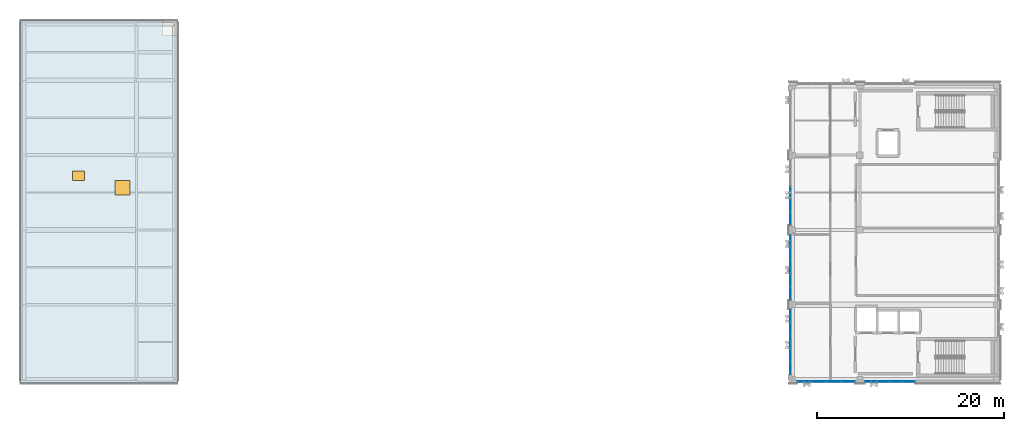
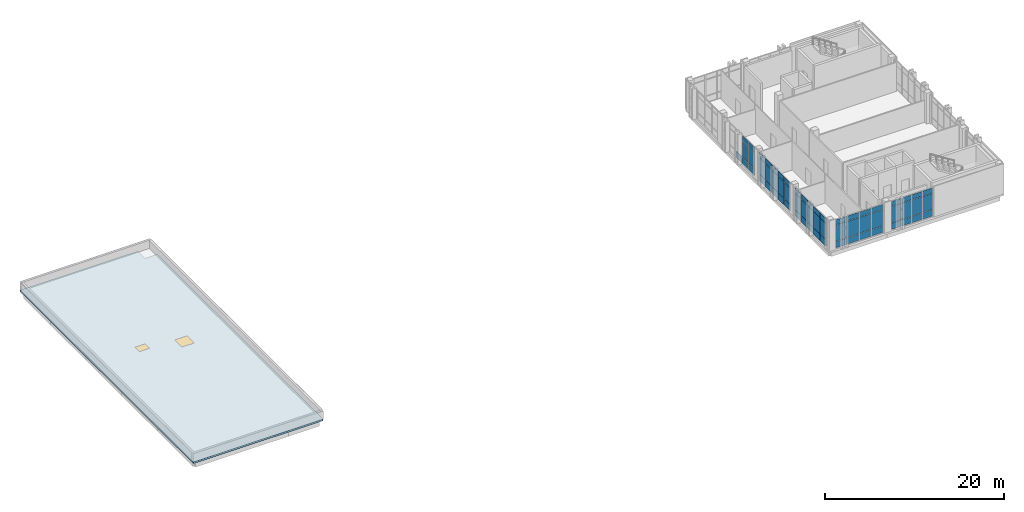
# One storey, part 14 of 22: 61 plates, 1 door, 1 slab, 1 window, 2 openings, 5 elements without a shape of their own.
"""IFC4 building model written with IfcOpenShell, lengths in metres."""

from ifc_helpers import new_model, si_unit, direction, frame, origin, origin_2d, place, context, subcontext, project, spatial, polyline, rectangle, outline, extrude, material, layer, layer_set, type_object, element, fill, aggregate, save


model = new_model("IFC4")

# Units and contexts
model_context = context("Model", 3, precision=1e-05, world=origin(), true_north=direction((0.0, 1.0)))
body_context = subcontext(model_context, "Body", "Model", "MODEL_VIEW")
ifc_project = project(units=[si_unit("LENGTHUNIT", "METRE"), si_unit("AREAUNIT", "SQUARE_METRE"), si_unit("VOLUMEUNIT", "CUBIC_METRE"), si_unit("PLANEANGLEUNIT", "RADIAN"), si_unit("MASSUNIT", "GRAM", prefix="KILO")], contexts=[model_context])

# Site, building, storey
site_placement = place(None, origin())
site = spatial("IfcSite", under=ifc_project, at=site_placement, CompositionType="ELEMENT")
building_placement = place(site_placement, origin())
building = spatial("IfcBuilding", under=site, at=building_placement, Name="Qalavern Law Courts", CompositionType="ELEMENT")
storey_placement = place(building_placement, frame((0.0, 0.0, 35.39990234375)))
storey = spatial("IfcBuildingStorey", under=building, at=storey_placement, Name="L08", CompositionType="ELEMENT", Elevation=35.39990234375)

# Curtain wall, plates
ifc_material_1 = material(Name="Anodised aluminium and insulated glazing", Category="aluminium")
ifc_layer_1 = layer(ifc_material_1, 0.159912109375)
ifc_layer_set_1 = layer_set([ifc_layer_1], Name="Anodised aluminium and insulated glazing")
curtain_wall_type = type_object("IfcCurtainWallType", Name="ENV-CW-CHAMB", PredefinedType="USERDEFINED", material=ifc_layer_set_1)
curtain_wall_1_placement = place(storey_placement, origin())
curtain_wall_1 = element("IfcCurtainWall", 1, at=curtain_wall_1_placement, inside=storey, type_object=curtain_wall_type, Name="V4 unitised curtain wall L08 south 1", ObjectType="UNITISED CURTAIN WALL", PredefinedType="USERDEFINED")
ifc_material_2 = material(Name="Insulated low-E acoustic glazing", Category="glass")
ifc_layer_2 = layer(ifc_material_2, 0.0400390625)
ifc_layer_set_2 = layer_set([ifc_layer_2], Name="Insulated low-E acoustic glazing")
plate_type_1 = type_object("IfcPlateType", Name="ENV-CWP-40", PredefinedType="CURTAIN_PANEL", material=ifc_layer_set_2)
plate_1_placement = place(storey_placement, frame((85.886962890625, 41.18994140625, 0.048095703125), z_axis=(0.0, 0.0, 1.0), x_axis=(1.0, 0.0, 0.0)))
plate_1 = element("IfcPlate", 2, at=plate_1_placement, type_object=plate_type_1, Name="CW-04 panel 1.1", PredefinedType="CURTAIN_PANEL", context=body_context, shape_type="SweptSolid", body=[
    extrude(rectangle(XDim=1.47802734375, YDim=0.0400390625, at=origin_2d()), origin(), (0.0, 0.0, 1.0), 0.8779296875),
])
plate_2_placement = place(storey_placement, frame((85.886962890625, 41.18994140625, 0.97412109375), z_axis=(0.0, 0.0, 1.0), x_axis=(1.0, 0.0, 0.0)))
plate_2 = element("IfcPlate", 3, at=plate_2_placement, type_object=plate_type_1, Name="CW-04 panel 1.2", PredefinedType="CURTAIN_PANEL", context=body_context, shape_type="SweptSolid", body=[
    extrude(rectangle(XDim=1.47802734375, YDim=0.0400390625, at=origin_2d()), origin(), (0.0, 0.0, 1.0), 2.197021484375),
])
plate_3_placement = place(storey_placement, frame((85.886962890625, 41.18994140625, 3.21923828125), z_axis=(0.0, 0.0, 1.0), x_axis=(1.0, 0.0, 0.0)))
plate_3 = element("IfcPlate", 4, at=plate_3_placement, type_object=plate_type_1, Name="CW-04 panel 1.3", PredefinedType="CURTAIN_PANEL", context=body_context, shape_type="SweptSolid", body=[
    extrude(rectangle(XDim=1.47802734375, YDim=0.0400390625, at=origin_2d()), origin(), (0.0, 0.0, 1.0), 0.677978515625),
])
plate_4_placement = place(storey_placement, frame((87.425048828125, 41.18994140625, 0.048095703125), z_axis=(0.0, 0.0, 1.0), x_axis=(1.0, 0.0, 0.0)))
plate_4 = element("IfcPlate", 5, at=plate_4_placement, type_object=plate_type_1, Name="CW-04 panel 2.1", PredefinedType="CURTAIN_PANEL", context=body_context, shape_type="SweptSolid", body=[
    extrude(rectangle(XDim=1.501953125, YDim=0.0400390625, at=origin_2d()), origin(), (0.0, 0.0, 1.0), 0.8779296875),
])
plate_5_placement = place(storey_placement, frame((87.425048828125, 41.18994140625, 0.97412109375), z_axis=(0.0, 0.0, 1.0), x_axis=(1.0, 0.0, 0.0)))
plate_5 = element("IfcPlate", 6, at=plate_5_placement, type_object=plate_type_1, Name="CW-04 panel 2.2", PredefinedType="CURTAIN_PANEL", context=body_context, shape_type="SweptSolid", body=[
    extrude(rectangle(XDim=1.501953125, YDim=0.0400390625, at=origin_2d()), origin(), (0.0, 0.0, 1.0), 2.197021484375),
])
plate_6_placement = place(storey_placement, frame((87.425048828125, 41.18994140625, 3.21923828125), z_axis=(0.0, 0.0, 1.0), x_axis=(1.0, 0.0, 0.0)))
plate_6 = element("IfcPlate", 7, at=plate_6_placement, type_object=plate_type_1, Name="CW-04 panel 2.3", PredefinedType="CURTAIN_PANEL", context=body_context, shape_type="SweptSolid", body=[
    extrude(rectangle(XDim=1.501953125, YDim=0.0400390625, at=origin_2d()), origin(), (0.0, 0.0, 1.0), 0.677978515625),
])
plate_7_placement = place(storey_placement, frame((88.97509765625, 41.18994140625, 0.048095703125), z_axis=(0.0, 0.0, 1.0), x_axis=(1.0, 0.0, 0.0)))
plate_7 = element("IfcPlate", 8, at=plate_7_placement, type_object=plate_type_1, Name="CW-04 panel 3.1", PredefinedType="CURTAIN_PANEL", context=body_context, shape_type="SweptSolid", body=[
    extrude(rectangle(XDim=1.501953125, YDim=0.0400390625, at=origin_2d()), origin(), (0.0, 0.0, 1.0), 0.8779296875),
])
plate_8_placement = place(storey_placement, frame((88.97509765625, 41.18994140625, 0.97412109375), z_axis=(0.0, 0.0, 1.0), x_axis=(1.0, 0.0, 0.0)))
plate_8 = element("IfcPlate", 9, at=plate_8_placement, type_object=plate_type_1, Name="CW-04 panel 3.2", PredefinedType="CURTAIN_PANEL", context=body_context, shape_type="SweptSolid", body=[
    extrude(rectangle(XDim=1.501953125, YDim=0.0400390625, at=origin_2d()), origin(), (0.0, 0.0, 1.0), 2.197021484375),
])
plate_9_placement = place(storey_placement, frame((88.97509765625, 41.18994140625, 3.21923828125), z_axis=(0.0, 0.0, 1.0), x_axis=(1.0, 0.0, 0.0)))
plate_9 = element("IfcPlate", 10, at=plate_9_placement, type_object=plate_type_1, Name="CW-04 panel 3.3", PredefinedType="CURTAIN_PANEL", context=body_context, shape_type="SweptSolid", body=[
    extrude(rectangle(XDim=1.501953125, YDim=0.0400390625, at=origin_2d()), origin(), (0.0, 0.0, 1.0), 0.677978515625),
])
plate_10_placement = place(storey_placement, frame((90.512939453125, 41.18994140625, 0.048095703125), z_axis=(0.0, 0.0, 1.0), x_axis=(1.0, 0.0, 0.0)))
plate_10 = element("IfcPlate", 11, at=plate_10_placement, type_object=plate_type_1, Name="CW-04 panel 4.1", PredefinedType="CURTAIN_PANEL", context=body_context, shape_type="SweptSolid", body=[
    extrude(rectangle(XDim=1.47802734375, YDim=0.0400390625, at=origin_2d()), origin(), (0.0, 0.0, 1.0), 0.8779296875),
])
plate_11_placement = place(storey_placement, frame((90.512939453125, 41.18994140625, 0.97412109375), z_axis=(0.0, 0.0, 1.0), x_axis=(1.0, 0.0, 0.0)))
plate_11 = element("IfcPlate", 12, at=plate_11_placement, type_object=plate_type_1, Name="CW-04 panel 4.2", PredefinedType="CURTAIN_PANEL", context=body_context, shape_type="SweptSolid", body=[
    extrude(rectangle(XDim=1.47802734375, YDim=0.0400390625, at=origin_2d()), origin(), (0.0, 0.0, 1.0), 2.197021484375),
])
plate_12_placement = place(storey_placement, frame((90.512939453125, 41.18994140625, 3.21923828125), z_axis=(0.0, 0.0, 1.0), x_axis=(1.0, 0.0, 0.0)))
plate_12 = element("IfcPlate", 13, at=plate_12_placement, type_object=plate_type_1, Name="CW-04 panel 4.3", PredefinedType="CURTAIN_PANEL", context=body_context, shape_type="SweptSolid", body=[
    extrude(rectangle(XDim=1.47802734375, YDim=0.0400390625, at=origin_2d()), origin(), (0.0, 0.0, 1.0), 0.677978515625),
])
aggregate(curtain_wall_1, [plate_1, plate_2, plate_3, plate_4, plate_5, plate_6, plate_7, plate_8, plate_9, plate_10, plate_11, plate_12])

curtain_wall_2_placement = place(storey_placement, origin())
curtain_wall_2 = element("IfcCurtainWall", 14, at=curtain_wall_2_placement, inside=storey, type_object=curtain_wall_type, Name="V4 unitised curtain wall L08 south 2", ObjectType="UNITISED CURTAIN WALL", PredefinedType="USERDEFINED")
ifc_layer_3 = layer(ifc_material_2, 0.0439453125)
ifc_layer_set_3 = layer_set([ifc_layer_3], Name="Insulated low-E acoustic glazing")
plate_type_2 = type_object("IfcPlateType", Name="ENV-CWP-44", PredefinedType="CURTAIN_PANEL", material=ifc_layer_set_3)
plate_13_placement = place(storey_placement, frame((92.987060546875, 41.18994140625, 0.048095703125), z_axis=(0.0, 0.0, 1.0), x_axis=(1.0, 0.0, 0.0)))
plate_13 = element("IfcPlate", 15, at=plate_13_placement, type_object=plate_type_2, Name="CW-04 panel 1.1", PredefinedType="CURTAIN_PANEL", context=body_context, shape_type="SweptSolid", body=[
    extrude(rectangle(XDim=1.278076171875, YDim=0.0439453125, at=origin_2d()), origin(), (0.0, 0.0, 1.0), 0.8779296875),
])
plate_14_placement = place(storey_placement, frame((92.987060546875, 41.18994140625, 0.97412109375), z_axis=(0.0, 0.0, 1.0), x_axis=(1.0, 0.0, 0.0)))
plate_14 = element("IfcPlate", 16, at=plate_14_placement, type_object=plate_type_2, Name="CW-04 panel 1.2", PredefinedType="CURTAIN_PANEL", context=body_context, shape_type="SweptSolid", body=[
    extrude(rectangle(XDim=1.278076171875, YDim=0.0439453125, at=origin_2d()), origin(), (0.0, 0.0, 1.0), 2.197021484375),
])
plate_15_placement = place(storey_placement, frame((92.987060546875, 41.18994140625, 3.21923828125), z_axis=(0.0, 0.0, 1.0), x_axis=(1.0, 0.0, 0.0)))
plate_15 = element("IfcPlate", 17, at=plate_15_placement, type_object=plate_type_2, Name="CW-04 panel 1.3", PredefinedType="CURTAIN_PANEL", context=body_context, shape_type="SweptSolid", body=[
    extrude(rectangle(XDim=1.278076171875, YDim=0.0439453125, at=origin_2d()), origin(), (0.0, 0.0, 1.0), 0.677978515625),
])
plate_16_placement = place(storey_placement, frame((94.324951171875, 41.18994140625, 0.048095703125), z_axis=(0.0, 0.0, 1.0), x_axis=(1.0, 0.0, 0.0)))
plate_16 = element("IfcPlate", 18, at=plate_16_placement, type_object=plate_type_2, Name="CW-04 panel 2.1", PredefinedType="CURTAIN_PANEL", context=body_context, shape_type="SweptSolid", body=[
    extrude(rectangle(XDim=1.302001953125, YDim=0.0439453125, at=origin_2d()), origin(), (0.0, 0.0, 1.0), 0.8779296875),
])
plate_17_placement = place(storey_placement, frame((94.324951171875, 41.18994140625, 0.97412109375), z_axis=(0.0, 0.0, 1.0), x_axis=(1.0, 0.0, 0.0)))
plate_17 = element("IfcPlate", 19, at=plate_17_placement, type_object=plate_type_2, Name="CW-04 panel 2.2", PredefinedType="CURTAIN_PANEL", context=body_context, shape_type="SweptSolid", body=[
    extrude(rectangle(XDim=1.302001953125, YDim=0.0439453125, at=origin_2d()), origin(), (0.0, 0.0, 1.0), 2.197021484375),
])
plate_18_placement = place(storey_placement, frame((94.324951171875, 41.18994140625, 3.21923828125), z_axis=(0.0, 0.0, 1.0), x_axis=(1.0, 0.0, 0.0)))
plate_18 = element("IfcPlate", 20, at=plate_18_placement, type_object=plate_type_2, Name="CW-04 panel 2.3", PredefinedType="CURTAIN_PANEL", context=body_context, shape_type="SweptSolid", body=[
    extrude(rectangle(XDim=1.302001953125, YDim=0.0439453125, at=origin_2d()), origin(), (0.0, 0.0, 1.0), 0.677978515625),
])
plate_19_placement = place(storey_placement, frame((95.675048828125, 41.18994140625, 0.048095703125), z_axis=(0.0, 0.0, 1.0), x_axis=(1.0, 0.0, 0.0)))
plate_19 = element("IfcPlate", 21, at=plate_19_placement, type_object=plate_type_2, Name="CW-04 panel 3.1", PredefinedType="CURTAIN_PANEL", context=body_context, shape_type="SweptSolid", body=[
    extrude(rectangle(XDim=1.302001953125, YDim=0.0439453125, at=origin_2d()), origin(), (0.0, 0.0, 1.0), 0.8779296875),
])
plate_20_placement = place(storey_placement, frame((95.675048828125, 41.18994140625, 0.97412109375), z_axis=(0.0, 0.0, 1.0), x_axis=(1.0, 0.0, 0.0)))
plate_20 = element("IfcPlate", 22, at=plate_20_placement, type_object=plate_type_2, Name="CW-04 panel 3.2", PredefinedType="CURTAIN_PANEL", context=body_context, shape_type="SweptSolid", body=[
    extrude(rectangle(XDim=1.302001953125, YDim=0.0439453125, at=origin_2d()), origin(), (0.0, 0.0, 1.0), 2.197021484375),
])
plate_21_placement = place(storey_placement, frame((95.675048828125, 41.18994140625, 3.21923828125), z_axis=(0.0, 0.0, 1.0), x_axis=(1.0, 0.0, 0.0)))
plate_21 = element("IfcPlate", 23, at=plate_21_placement, type_object=plate_type_2, Name="CW-04 panel 3.3", PredefinedType="CURTAIN_PANEL", context=body_context, shape_type="SweptSolid", body=[
    extrude(rectangle(XDim=1.302001953125, YDim=0.0439453125, at=origin_2d()), origin(), (0.0, 0.0, 1.0), 0.677978515625),
])
plate_22_placement = place(storey_placement, frame((97.012939453125, 41.18994140625, 0.048095703125), z_axis=(0.0, 0.0, 1.0), x_axis=(1.0, 0.0, 0.0)))
plate_22 = element("IfcPlate", 24, at=plate_22_placement, type_object=plate_type_2, Name="CW-04 panel 4.1", PredefinedType="CURTAIN_PANEL", context=body_context, shape_type="SweptSolid", body=[
    extrude(rectangle(XDim=1.278076171875, YDim=0.0439453125, at=origin_2d()), origin(), (0.0, 0.0, 1.0), 0.8779296875),
])
plate_23_placement = place(storey_placement, frame((97.012939453125, 41.18994140625, 0.97412109375), z_axis=(0.0, 0.0, 1.0), x_axis=(1.0, 0.0, 0.0)))
plate_23 = element("IfcPlate", 25, at=plate_23_placement, type_object=plate_type_2, Name="CW-04 panel 4.2", PredefinedType="CURTAIN_PANEL", context=body_context, shape_type="SweptSolid", body=[
    extrude(rectangle(XDim=1.278076171875, YDim=0.0439453125, at=origin_2d()), origin(), (0.0, 0.0, 1.0), 2.197021484375),
])
plate_24_placement = place(storey_placement, frame((97.012939453125, 41.18994140625, 3.21923828125), z_axis=(0.0, 0.0, 1.0), x_axis=(1.0, 0.0, 0.0)))
plate_24 = element("IfcPlate", 26, at=plate_24_placement, type_object=plate_type_2, Name="CW-04 panel 4.3", PredefinedType="CURTAIN_PANEL", context=body_context, shape_type="SweptSolid", body=[
    extrude(rectangle(XDim=1.278076171875, YDim=0.0439453125, at=origin_2d()), origin(), (0.0, 0.0, 1.0), 0.677978515625),
])
aggregate(curtain_wall_2, [plate_13, plate_14, plate_15, plate_16, plate_17, plate_18, plate_19, plate_20, plate_21, plate_22, plate_23, plate_24])

curtain_wall_3_placement = place(storey_placement, origin())
curtain_wall_3 = element("IfcCurtainWall", 27, at=curtain_wall_3_placement, inside=storey, type_object=curtain_wall_type, Name="V4 unitised curtain wall L08 west 2", ObjectType="UNITISED CURTAIN WALL", PredefinedType="USERDEFINED")
plate_25_placement = place(storey_placement, frame((84.3701171875, 61.39990234375, 0.048095703125), z_axis=(0.0, 0.0, 1.0), x_axis=(0.0, -1.0, 0.0)))
plate_25 = element("IfcPlate", 28, at=plate_25_placement, type_object=plate_type_2, Name="CW-04 panel 3.1", PredefinedType="CURTAIN_PANEL", context=body_context, shape_type="SweptSolid", body=[
    extrude(rectangle(XDim=1.35205078125, YDim=0.0439453125, at=origin_2d()), origin(), (0.0, 0.0, 1.0), 0.8779296875),
])
plate_26_placement = place(storey_placement, frame((84.3701171875, 60.0, 0.048095703125), z_axis=(0.0, 0.0, 1.0), x_axis=(0.0, -1.0, 0.0)))
plate_26 = element("IfcPlate", 29, at=plate_26_placement, type_object=plate_type_2, Name="CW-04 panel 4.1", PredefinedType="CURTAIN_PANEL", context=body_context, shape_type="SweptSolid", body=[
    extrude(rectangle(XDim=1.35205078125, YDim=0.0439453125, at=origin_2d()), origin(), (0.0, 0.0, 1.0), 0.8779296875),
])
plate_27_placement = place(storey_placement, frame((84.3701171875, 60.0, 0.97412109375), z_axis=(0.0, 0.0, 1.0), x_axis=(0.0, -1.0, 0.0)))
plate_27 = element("IfcPlate", 30, at=plate_27_placement, type_object=plate_type_2, Name="CW-04 panel 4.2", PredefinedType="CURTAIN_PANEL", context=body_context, shape_type="SweptSolid", body=[
    extrude(rectangle(XDim=1.35205078125, YDim=0.0439453125, at=origin_2d()), origin(), (0.0, 0.0, 1.0), 2.197021484375),
])
plate_28_placement = place(storey_placement, frame((84.3701171875, 60.0, 3.21923828125), z_axis=(0.0, 0.0, 1.0), x_axis=(0.0, -1.0, 0.0)))
plate_28 = element("IfcPlate", 31, at=plate_28_placement, type_object=plate_type_2, Name="CW-04 panel 4.3", PredefinedType="CURTAIN_PANEL", context=body_context, shape_type="SweptSolid", body=[
    extrude(rectangle(XDim=1.35205078125, YDim=0.0439453125, at=origin_2d()), origin(), (0.0, 0.0, 1.0), 0.677978515625),
])
plate_29_placement = place(storey_placement, frame((84.3701171875, 58.612060546875, 0.048095703125), z_axis=(0.0, 0.0, 1.0), x_axis=(0.0, -1.0, 0.0)))
plate_29 = element("IfcPlate", 32, at=plate_29_placement, type_object=plate_type_2, Name="CW-04 panel 5.1", PredefinedType="CURTAIN_PANEL", context=body_context, shape_type="SweptSolid", body=[
    extrude(rectangle(XDim=1.327880859375, YDim=0.0439453125, at=origin_2d()), origin(), (0.0, 0.0, 1.0), 0.8779296875),
])
plate_30_placement = place(storey_placement, frame((84.3701171875, 58.612060546875, 0.97412109375), z_axis=(0.0, 0.0, 1.0), x_axis=(0.0, -1.0, 0.0)))
plate_30 = element("IfcPlate", 33, at=plate_30_placement, type_object=plate_type_2, Name="CW-04 panel 5.2", PredefinedType="CURTAIN_PANEL", context=body_context, shape_type="SweptSolid", body=[
    extrude(rectangle(XDim=1.327880859375, YDim=0.0439453125, at=origin_2d()), origin(), (0.0, 0.0, 1.0), 2.197021484375),
])
plate_31_placement = place(storey_placement, frame((84.3701171875, 58.612060546875, 3.21923828125), z_axis=(0.0, 0.0, 1.0), x_axis=(0.0, -1.0, 0.0)))
plate_31 = element("IfcPlate", 34, at=plate_31_placement, type_object=plate_type_2, Name="CW-04 panel 5.3", PredefinedType="CURTAIN_PANEL", context=body_context, shape_type="SweptSolid", body=[
    extrude(rectangle(XDim=1.327880859375, YDim=0.0439453125, at=origin_2d()), origin(), (0.0, 0.0, 1.0), 0.677978515625),
])
aggregate(curtain_wall_3, [plate_25, plate_26, plate_27, plate_28, plate_29, plate_30, plate_31])

curtain_wall_4_placement = place(storey_placement, origin())
curtain_wall_4 = element("IfcCurtainWall", 35, at=curtain_wall_4_placement, inside=storey, type_object=curtain_wall_type, Name="V4 unitised curtain wall L08 west 3", ObjectType="UNITISED CURTAIN WALL", PredefinedType="USERDEFINED")
ifc_layer_4 = layer(ifc_material_2, 0.048095703125)
ifc_layer_set_4 = layer_set([ifc_layer_4], Name="Insulated low-E acoustic glazing")
plate_type_3 = type_object("IfcPlateType", Name="ENV-CWP-48", PredefinedType="CURTAIN_PANEL", material=ifc_layer_set_4)
plate_32_placement = place(storey_placement, frame((84.3701171875, 56.18798828125, 0.048095703125), z_axis=(0.0, 0.0, 1.0), x_axis=(0.0, -1.0, 0.0)))
plate_32 = element("IfcPlate", 36, at=plate_32_placement, type_object=plate_type_3, Name="CW-04 panel 1.1", PredefinedType="CURTAIN_PANEL", context=body_context, shape_type="SweptSolid", body=[
    extrude(rectangle(XDim=1.327880859375, YDim=0.048095703125, at=origin_2d()), origin(), (0.0, 0.0, 1.0), 0.8779296875),
])
plate_33_placement = place(storey_placement, frame((84.3701171875, 56.18798828125, 0.97412109375), z_axis=(0.0, 0.0, 1.0), x_axis=(0.0, -1.0, 0.0)))
plate_33 = element("IfcPlate", 37, at=plate_33_placement, type_object=plate_type_3, Name="CW-04 panel 1.2", PredefinedType="CURTAIN_PANEL", context=body_context, shape_type="SweptSolid", body=[
    extrude(rectangle(XDim=1.327880859375, YDim=0.048095703125, at=origin_2d()), origin(), (0.0, 0.0, 1.0), 2.197021484375),
])
plate_34_placement = place(storey_placement, frame((84.3701171875, 56.18798828125, 3.21923828125), z_axis=(0.0, 0.0, 1.0), x_axis=(0.0, -1.0, 0.0)))
plate_34 = element("IfcPlate", 38, at=plate_34_placement, type_object=plate_type_3, Name="CW-04 panel 1.3", PredefinedType="CURTAIN_PANEL", context=body_context, shape_type="SweptSolid", body=[
    extrude(rectangle(XDim=1.327880859375, YDim=0.048095703125, at=origin_2d()), origin(), (0.0, 0.0, 1.0), 0.677978515625),
])
plate_35_placement = place(storey_placement, frame((84.3701171875, 54.800048828125, 0.048095703125), z_axis=(0.0, 0.0, 1.0), x_axis=(0.0, -1.0, 0.0)))
plate_35 = element("IfcPlate", 39, at=plate_35_placement, type_object=plate_type_3, Name="CW-04 panel 2.1", PredefinedType="CURTAIN_PANEL", context=body_context, shape_type="SweptSolid", body=[
    extrude(rectangle(XDim=1.35205078125, YDim=0.048095703125, at=origin_2d()), origin(), (0.0, 0.0, 1.0), 0.8779296875),
])
plate_36_placement = place(storey_placement, frame((84.3701171875, 54.800048828125, 0.97412109375), z_axis=(0.0, 0.0, 1.0), x_axis=(0.0, -1.0, 0.0)))
plate_36 = element("IfcPlate", 40, at=plate_36_placement, type_object=plate_type_3, Name="CW-04 panel 2.2", PredefinedType="CURTAIN_PANEL", context=body_context, shape_type="SweptSolid", body=[
    extrude(rectangle(XDim=1.35205078125, YDim=0.048095703125, at=origin_2d()), origin(), (0.0, 0.0, 1.0), 2.197021484375),
])
plate_37_placement = place(storey_placement, frame((84.3701171875, 54.800048828125, 3.21923828125), z_axis=(0.0, 0.0, 1.0), x_axis=(0.0, -1.0, 0.0)))
plate_37 = element("IfcPlate", 41, at=plate_37_placement, type_object=plate_type_3, Name="CW-04 panel 2.3", PredefinedType="CURTAIN_PANEL", context=body_context, shape_type="SweptSolid", body=[
    extrude(rectangle(XDim=1.35205078125, YDim=0.048095703125, at=origin_2d()), origin(), (0.0, 0.0, 1.0), 0.677978515625),
])
plate_38_placement = place(storey_placement, frame((84.3701171875, 53.39990234375, 0.048095703125), z_axis=(0.0, 0.0, 1.0), x_axis=(0.0, -1.0, 0.0)))
plate_38 = element("IfcPlate", 42, at=plate_38_placement, type_object=plate_type_3, Name="CW-04 panel 3.1", PredefinedType="CURTAIN_PANEL", context=body_context, shape_type="SweptSolid", body=[
    extrude(rectangle(XDim=1.35205078125, YDim=0.048095703125, at=origin_2d()), origin(), (0.0, 0.0, 1.0), 0.8779296875),
])
plate_39_placement = place(storey_placement, frame((84.3701171875, 53.39990234375, 0.97412109375), z_axis=(0.0, 0.0, 1.0), x_axis=(0.0, -1.0, 0.0)))
plate_39 = element("IfcPlate", 43, at=plate_39_placement, type_object=plate_type_3, Name="CW-04 panel 3.2", PredefinedType="CURTAIN_PANEL", context=body_context, shape_type="SweptSolid", body=[
    extrude(rectangle(XDim=1.35205078125, YDim=0.048095703125, at=origin_2d()), origin(), (0.0, 0.0, 1.0), 2.197021484375),
])
plate_40_placement = place(storey_placement, frame((84.3701171875, 53.39990234375, 3.21923828125), z_axis=(0.0, 0.0, 1.0), x_axis=(0.0, -1.0, 0.0)))
plate_40 = element("IfcPlate", 44, at=plate_40_placement, type_object=plate_type_3, Name="CW-04 panel 3.3", PredefinedType="CURTAIN_PANEL", context=body_context, shape_type="SweptSolid", body=[
    extrude(rectangle(XDim=1.35205078125, YDim=0.048095703125, at=origin_2d()), origin(), (0.0, 0.0, 1.0), 0.677978515625),
])
plate_41_placement = place(storey_placement, frame((84.3701171875, 52.0, 0.048095703125), z_axis=(0.0, 0.0, 1.0), x_axis=(0.0, -1.0, 0.0)))
plate_41 = element("IfcPlate", 45, at=plate_41_placement, type_object=plate_type_3, Name="CW-04 panel 4.1", PredefinedType="CURTAIN_PANEL", context=body_context, shape_type="SweptSolid", body=[
    extrude(rectangle(XDim=1.35205078125, YDim=0.048095703125, at=origin_2d()), origin(), (0.0, 0.0, 1.0), 0.8779296875),
])
plate_42_placement = place(storey_placement, frame((84.3701171875, 52.0, 0.97412109375), z_axis=(0.0, 0.0, 1.0), x_axis=(0.0, -1.0, 0.0)))
plate_42 = element("IfcPlate", 46, at=plate_42_placement, type_object=plate_type_3, Name="CW-04 panel 4.2", PredefinedType="CURTAIN_PANEL", context=body_context, shape_type="SweptSolid", body=[
    extrude(rectangle(XDim=1.35205078125, YDim=0.048095703125, at=origin_2d()), origin(), (0.0, 0.0, 1.0), 2.197021484375),
])
plate_43_placement = place(storey_placement, frame((84.3701171875, 52.0, 3.21923828125), z_axis=(0.0, 0.0, 1.0), x_axis=(0.0, -1.0, 0.0)))
plate_43 = element("IfcPlate", 47, at=plate_43_placement, type_object=plate_type_3, Name="CW-04 panel 4.3", PredefinedType="CURTAIN_PANEL", context=body_context, shape_type="SweptSolid", body=[
    extrude(rectangle(XDim=1.35205078125, YDim=0.048095703125, at=origin_2d()), origin(), (0.0, 0.0, 1.0), 0.677978515625),
])
plate_44_placement = place(storey_placement, frame((84.3701171875, 50.612060546875, 0.048095703125), z_axis=(0.0, 0.0, 1.0), x_axis=(0.0, -1.0, 0.0)))
plate_44 = element("IfcPlate", 48, at=plate_44_placement, type_object=plate_type_3, Name="CW-04 panel 5.1", PredefinedType="CURTAIN_PANEL", context=body_context, shape_type="SweptSolid", body=[
    extrude(rectangle(XDim=1.327880859375, YDim=0.048095703125, at=origin_2d()), origin(), (0.0, 0.0, 1.0), 0.8779296875),
])
plate_45_placement = place(storey_placement, frame((84.3701171875, 50.612060546875, 0.97412109375), z_axis=(0.0, 0.0, 1.0), x_axis=(0.0, -1.0, 0.0)))
plate_45 = element("IfcPlate", 49, at=plate_45_placement, type_object=plate_type_3, Name="CW-04 panel 5.2", PredefinedType="CURTAIN_PANEL", context=body_context, shape_type="SweptSolid", body=[
    extrude(rectangle(XDim=1.327880859375, YDim=0.048095703125, at=origin_2d()), origin(), (0.0, 0.0, 1.0), 2.197021484375),
])
plate_46_placement = place(storey_placement, frame((84.3701171875, 50.612060546875, 3.21923828125), z_axis=(0.0, 0.0, 1.0), x_axis=(0.0, -1.0, 0.0)))
plate_46 = element("IfcPlate", 50, at=plate_46_placement, type_object=plate_type_3, Name="CW-04 panel 5.3", PredefinedType="CURTAIN_PANEL", context=body_context, shape_type="SweptSolid", body=[
    extrude(rectangle(XDim=1.327880859375, YDim=0.048095703125, at=origin_2d()), origin(), (0.0, 0.0, 1.0), 0.677978515625),
])
aggregate(curtain_wall_4, [plate_32, plate_33, plate_34, plate_35, plate_36, plate_37, plate_38, plate_39, plate_40, plate_41, plate_42, plate_43, plate_44, plate_45, plate_46])

curtain_wall_5_placement = place(storey_placement, origin())
curtain_wall_5 = element("IfcCurtainWall", 51, at=curtain_wall_5_placement, inside=storey, type_object=curtain_wall_type, Name="V4 unitised curtain wall L08 west 4", ObjectType="UNITISED CURTAIN WALL", PredefinedType="USERDEFINED")
ifc_layer_5 = layer(ifc_material_2, 0.052001953125)
ifc_layer_set_5 = layer_set([ifc_layer_5], Name="Insulated low-E acoustic glazing")
plate_type_4 = type_object("IfcPlateType", Name="ENV-CWP-52", PredefinedType="CURTAIN_PANEL", material=ifc_layer_set_5)
plate_47_placement = place(storey_placement, frame((84.3701171875, 48.18994140625, 0.048095703125), z_axis=(0.0, 0.0, 1.0), x_axis=(0.0, -1.0, 0.0)))
plate_47 = element("IfcPlate", 52, at=plate_47_placement, type_object=plate_type_4, Name="CW-04 panel 1.1", PredefinedType="CURTAIN_PANEL", context=body_context, shape_type="SweptSolid", body=[
    extrude(rectangle(XDim=1.323974609375, YDim=0.052001953125, at=origin_2d()), origin(), (0.0, 0.0, 1.0), 0.8779296875),
])
plate_48_placement = place(storey_placement, frame((84.3701171875, 48.18994140625, 0.97412109375), z_axis=(0.0, 0.0, 1.0), x_axis=(0.0, -1.0, 0.0)))
plate_48 = element("IfcPlate", 53, at=plate_48_placement, type_object=plate_type_4, Name="CW-04 panel 1.2", PredefinedType="CURTAIN_PANEL", context=body_context, shape_type="SweptSolid", body=[
    extrude(rectangle(XDim=1.323974609375, YDim=0.052001953125, at=origin_2d()), origin(), (0.0, 0.0, 1.0), 2.197021484375),
])
plate_49_placement = place(storey_placement, frame((84.3701171875, 48.18994140625, 3.21923828125), z_axis=(0.0, 0.0, 1.0), x_axis=(0.0, -1.0, 0.0)))
plate_49 = element("IfcPlate", 54, at=plate_49_placement, type_object=plate_type_4, Name="CW-04 panel 1.3", PredefinedType="CURTAIN_PANEL", context=body_context, shape_type="SweptSolid", body=[
    extrude(rectangle(XDim=1.323974609375, YDim=0.052001953125, at=origin_2d()), origin(), (0.0, 0.0, 1.0), 0.677978515625),
])
plate_50_placement = place(storey_placement, frame((84.3701171875, 46.805908203125, 0.048095703125), z_axis=(0.0, 0.0, 1.0), x_axis=(0.0, -1.0, 0.0)))
plate_50 = element("IfcPlate", 55, at=plate_50_placement, type_object=plate_type_4, Name="CW-04 panel 2.1", PredefinedType="CURTAIN_PANEL", context=body_context, shape_type="SweptSolid", body=[
    extrude(rectangle(XDim=1.347900390625, YDim=0.052001953125, at=origin_2d()), origin(), (0.0, 0.0, 1.0), 0.8779296875),
])
plate_51_placement = place(storey_placement, frame((84.3701171875, 46.805908203125, 0.97412109375), z_axis=(0.0, 0.0, 1.0), x_axis=(0.0, -1.0, 0.0)))
plate_51 = element("IfcPlate", 56, at=plate_51_placement, type_object=plate_type_4, Name="CW-04 panel 2.2", PredefinedType="CURTAIN_PANEL", context=body_context, shape_type="SweptSolid", body=[
    extrude(rectangle(XDim=1.347900390625, YDim=0.052001953125, at=origin_2d()), origin(), (0.0, 0.0, 1.0), 2.197021484375),
])
plate_52_placement = place(storey_placement, frame((84.3701171875, 46.805908203125, 3.21923828125), z_axis=(0.0, 0.0, 1.0), x_axis=(0.0, -1.0, 0.0)))
plate_52 = element("IfcPlate", 57, at=plate_52_placement, type_object=plate_type_4, Name="CW-04 panel 2.3", PredefinedType="CURTAIN_PANEL", context=body_context, shape_type="SweptSolid", body=[
    extrude(rectangle(XDim=1.347900390625, YDim=0.052001953125, at=origin_2d()), origin(), (0.0, 0.0, 1.0), 0.677978515625),
])
plate_53_placement = place(storey_placement, frame((84.3701171875, 45.409912109375, 0.048095703125), z_axis=(0.0, 0.0, 1.0), x_axis=(0.0, -1.0, 0.0)))
plate_53 = element("IfcPlate", 58, at=plate_53_placement, type_object=plate_type_4, Name="CW-04 panel 3.1", PredefinedType="CURTAIN_PANEL", context=body_context, shape_type="SweptSolid", body=[
    extrude(rectangle(XDim=1.347900390625, YDim=0.052001953125, at=origin_2d()), origin(), (0.0, 0.0, 1.0), 0.8779296875),
])
plate_54_placement = place(storey_placement, frame((84.3701171875, 45.409912109375, 0.97412109375), z_axis=(0.0, 0.0, 1.0), x_axis=(0.0, -1.0, 0.0)))
plate_54 = element("IfcPlate", 59, at=plate_54_placement, type_object=plate_type_4, Name="CW-04 panel 3.2", PredefinedType="CURTAIN_PANEL", context=body_context, shape_type="SweptSolid", body=[
    extrude(rectangle(XDim=1.347900390625, YDim=0.052001953125, at=origin_2d()), origin(), (0.0, 0.0, 1.0), 2.197021484375),
])
plate_55_placement = place(storey_placement, frame((84.3701171875, 45.409912109375, 3.21923828125), z_axis=(0.0, 0.0, 1.0), x_axis=(0.0, -1.0, 0.0)))
plate_55 = element("IfcPlate", 60, at=plate_55_placement, type_object=plate_type_4, Name="CW-04 panel 3.3", PredefinedType="CURTAIN_PANEL", context=body_context, shape_type="SweptSolid", body=[
    extrude(rectangle(XDim=1.347900390625, YDim=0.052001953125, at=origin_2d()), origin(), (0.0, 0.0, 1.0), 0.677978515625),
])
plate_56_placement = place(storey_placement, frame((84.3701171875, 44.013916015625, 0.048095703125), z_axis=(0.0, 0.0, 1.0), x_axis=(0.0, -1.0, 0.0)))
plate_56 = element("IfcPlate", 61, at=plate_56_placement, type_object=plate_type_4, Name="CW-04 panel 4.1", PredefinedType="CURTAIN_PANEL", context=body_context, shape_type="SweptSolid", body=[
    extrude(rectangle(XDim=1.347900390625, YDim=0.052001953125, at=origin_2d()), origin(), (0.0, 0.0, 1.0), 0.8779296875),
])
plate_57_placement = place(storey_placement, frame((84.3701171875, 44.013916015625, 0.97412109375), z_axis=(0.0, 0.0, 1.0), x_axis=(0.0, -1.0, 0.0)))
plate_57 = element("IfcPlate", 62, at=plate_57_placement, type_object=plate_type_4, Name="CW-04 panel 4.2", PredefinedType="CURTAIN_PANEL", context=body_context, shape_type="SweptSolid", body=[
    extrude(rectangle(XDim=1.347900390625, YDim=0.052001953125, at=origin_2d()), origin(), (0.0, 0.0, 1.0), 2.197021484375),
])
plate_58_placement = place(storey_placement, frame((84.3701171875, 44.013916015625, 3.21923828125), z_axis=(0.0, 0.0, 1.0), x_axis=(0.0, -1.0, 0.0)))
plate_58 = element("IfcPlate", 63, at=plate_58_placement, type_object=plate_type_4, Name="CW-04 panel 4.3", PredefinedType="CURTAIN_PANEL", context=body_context, shape_type="SweptSolid", body=[
    extrude(rectangle(XDim=1.347900390625, YDim=0.052001953125, at=origin_2d()), origin(), (0.0, 0.0, 1.0), 0.677978515625),
])
plate_59_placement = place(storey_placement, frame((84.3701171875, 42.6298828125, 0.048095703125), z_axis=(0.0, 0.0, 1.0), x_axis=(0.0, -1.0, 0.0)))
plate_59 = element("IfcPlate", 64, at=plate_59_placement, type_object=plate_type_4, Name="CW-04 panel 5.1", PredefinedType="CURTAIN_PANEL", context=body_context, shape_type="SweptSolid", body=[
    extrude(rectangle(XDim=1.323974609375, YDim=0.052001953125, at=origin_2d()), origin(), (0.0, 0.0, 1.0), 0.8779296875),
])
plate_60_placement = place(storey_placement, frame((84.3701171875, 42.6298828125, 0.97412109375), z_axis=(0.0, 0.0, 1.0), x_axis=(0.0, -1.0, 0.0)))
plate_60 = element("IfcPlate", 65, at=plate_60_placement, type_object=plate_type_4, Name="CW-04 panel 5.2", PredefinedType="CURTAIN_PANEL", context=body_context, shape_type="SweptSolid", body=[
    extrude(rectangle(XDim=1.323974609375, YDim=0.052001953125, at=origin_2d()), origin(), (0.0, 0.0, 1.0), 2.197021484375),
])
plate_61_placement = place(storey_placement, frame((84.3701171875, 42.6298828125, 3.21923828125), z_axis=(0.0, 0.0, 1.0), x_axis=(0.0, -1.0, 0.0)))
plate_61 = element("IfcPlate", 66, at=plate_61_placement, type_object=plate_type_4, Name="CW-04 panel 5.3", PredefinedType="CURTAIN_PANEL", context=body_context, shape_type="SweptSolid", body=[
    extrude(rectangle(XDim=1.323974609375, YDim=0.052001953125, at=origin_2d()), origin(), (0.0, 0.0, 1.0), 0.677978515625),
])
aggregate(curtain_wall_5, [plate_47, plate_48, plate_49, plate_50, plate_51, plate_52, plate_53, plate_54, plate_55, plate_56, plate_57, plate_58, plate_59, plate_60, plate_61])

# Slab, openings, door, window
ifc_material_3 = material(Name="Concrete C35/45", Category="concrete")
ifc_layer_6 = layer(ifc_material_3, 0.22802734375)
ifc_layer_set_6 = layer_set([ifc_layer_6], Name="Concrete C35/45")
slab_type = type_object("IfcSlabType", Name="STR-ROOF-FLAT228", PredefinedType="ROOF", material=ifc_layer_set_6)
slab_placement = place(storey_placement, frame((0.0, 0.0, -0.227783203125)))
slab = element("IfcSlab", 67, at=slab_placement, inside=storey, type_object=slab_type, Name="V3 insulated flat roof slab L08", PredefinedType="ROOF", context=body_context, shape_type="SweptSolid", body=[
    extrude(outline(polyline([(2.0, 41.02001953125), (18.800048828125, 41.02001953125), (18.800048828125, 78.199951171875), (17.199951171875, 78.199951171875), (17.199951171875, 79.800048828125), (2.0, 79.800048828125), (2.0, 41.02001953125)])), origin(), (0.0, 0.0, 1.0), 0.227783203125),
])
opening_1_placement = place(slab_placement, frame((8.199951171875, 63.2099609375, 0.0)))
opening_1 = element("IfcOpeningElement", 68, at=opening_1_placement, cuts=slab, Name="Opening RH-02", PredefinedType="OPENING", context=body_context, shape_type="SweptSolid", body=[
    extrude(rectangle(XDim=1.300048828125, YDim=1.0, at=origin_2d()), frame((0.0, 0.0, -0.014892578125)), (0.0, 0.0, 1.0), 0.257568359375),
])
opening_2_placement = place(slab_placement, frame((12.89990234375, 61.909912109375, 0.0)))
opening_2 = element("IfcOpeningElement", 69, at=opening_2_placement, cuts=slab, Name="Opening SK-05", PredefinedType="OPENING", context=body_context, shape_type="SweptSolid", body=[
    extrude(rectangle(XDim=1.60009765625, YDim=1.60009765625, at=origin_2d()), frame((0.0, 0.0, -0.014892578125)), (0.0, 0.0, 1.0), 0.257568359375),
])
ifc_material_4 = material(Name="Thermally broken anodised aluminium and laminated safety glass", Category="aluminium")
door_type = type_object("IfcDoorType", Name="ENV-HT-1300x1000", OperationType="SINGLE_SWING_LEFT", PredefinedType="TRAPDOOR", material=ifc_material_4)
door_placement = place(opening_1_placement, frame((0.0, 0.0, 0.177734375)))
door = element("IfcDoor", 70, at=door_placement, inside=storey, type_object=door_type, Name="V3 roof maintenance access hatch L08", OperationType="SINGLE_SWING_LEFT", OverallHeight=1.0, OverallWidth=1.300048828125, PredefinedType="TRAPDOOR", context=body_context, shape_type="SweptSolid", body=[
    extrude(rectangle(XDim=1.300048828125, YDim=1.0, at=origin_2d()), origin(), (0.0, 0.0, 1.0), 0.050048828125),
])
fill(opening_1, door)
ifc_material_5 = material(Name="Anodised aluminium skylight with laminated low-E glazing", Category="aluminium")
window_type = type_object("IfcWindowType", Name="ENV-SKY-1600x1600", PartitioningType="SINGLE_PANEL", PredefinedType="SKYLIGHT", material=ifc_material_5)
window_placement = place(opening_2_placement, frame((0.0, 0.0, 0.177734375)))
window = element("IfcWindow", 71, at=window_placement, inside=storey, type_object=window_type, Name="V3 rooftop daylight skylight L08", OverallHeight=1.60009765625, OverallWidth=1.60009765625, PartitioningType="SINGLE_PANEL", PredefinedType="SKYLIGHT", context=body_context, shape_type="SweptSolid", body=[
    extrude(rectangle(XDim=1.60009765625, YDim=1.60009765625, at=origin_2d()), origin(), (0.0, 0.0, 1.0), 0.050048828125),
])
fill(opening_2, window)

save(model, "model.ifc")
